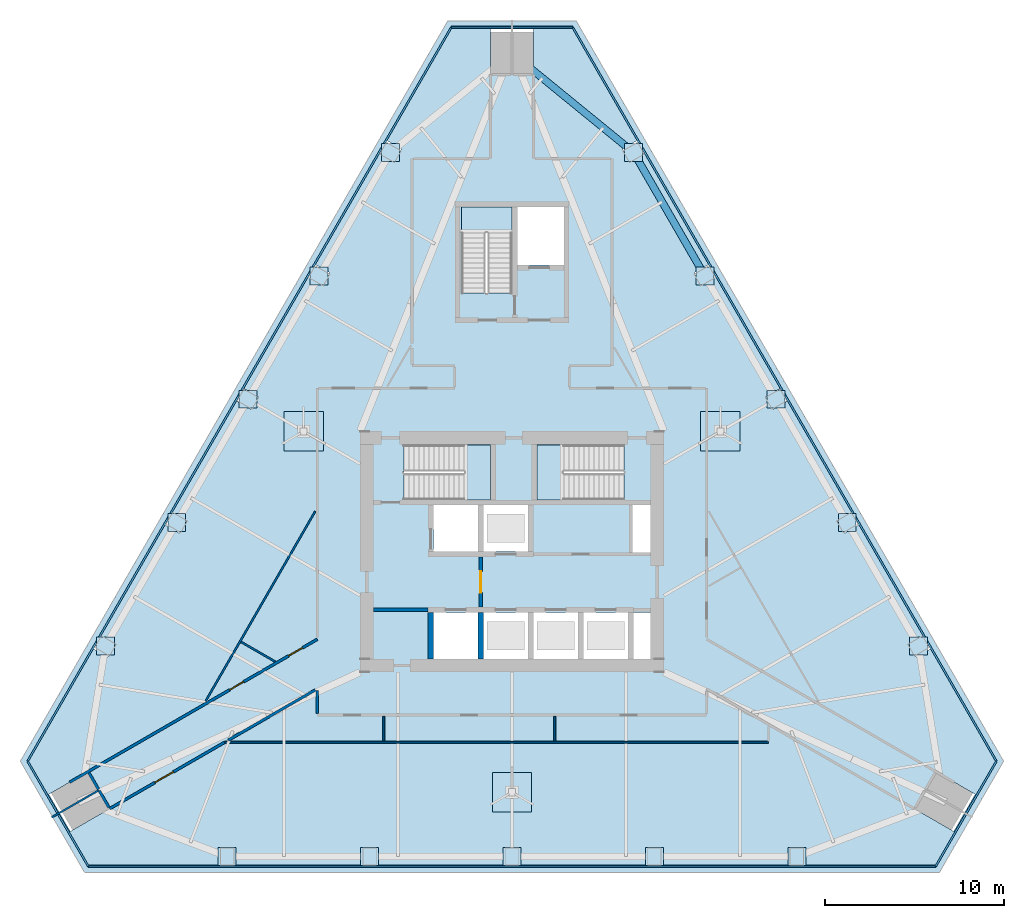
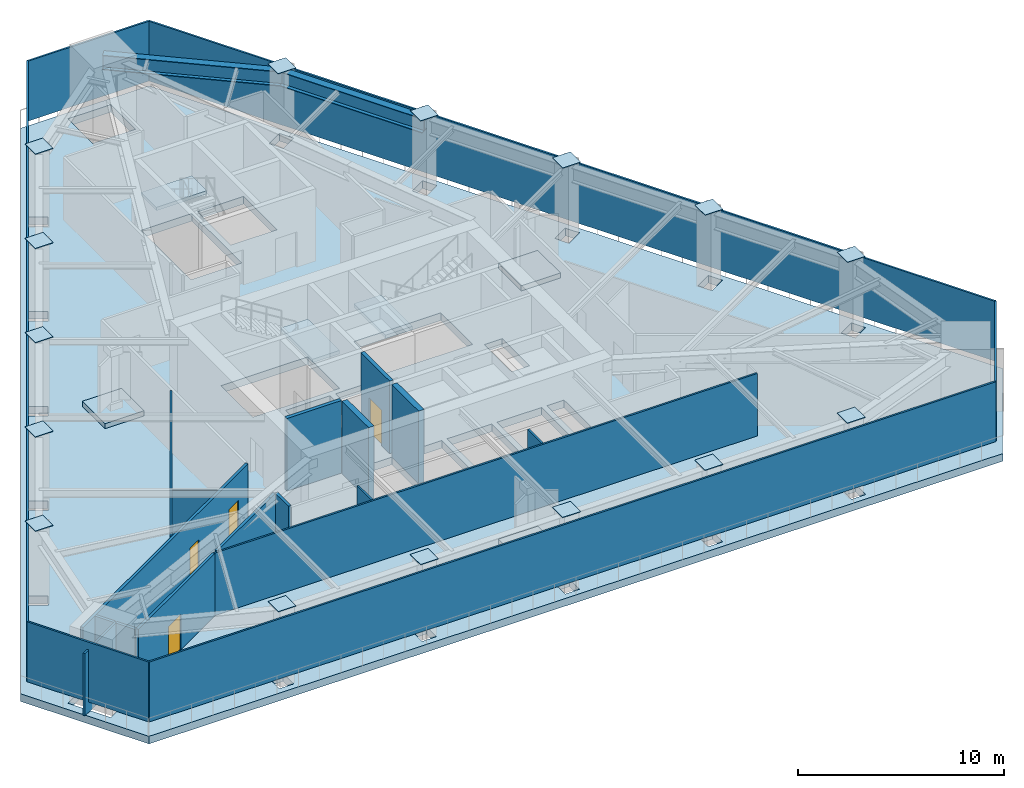
# One storey, part 2 of 9: 21 plates, 16 walls, 7 slabs, 4 doors, 2 members, 4 openings, 3 elements without a shape of their own.
"""IFC4 building model written with IfcOpenShell, lengths in metres."""

from ifc_helpers import new_model, si_unit, direction, frame, frame_2d, origin, origin_2d, place, context, subcontext, project, spatial, polyline, rectangle, i_section, outline, extrude, material, layer, layer_set, material_profile, profile_set, type_object, element, fill, aggregate, save


model = new_model("IFC4")

# Units and contexts
model_context = context("Model", 3, precision=1e-05, world=origin(), true_north=direction((0.0, 1.0)))
body_context = subcontext(model_context, "Body", "Model", "MODEL_VIEW")
ifc_project = project(units=[si_unit("LENGTHUNIT", "METRE"), si_unit("AREAUNIT", "SQUARE_METRE"), si_unit("VOLUMEUNIT", "CUBIC_METRE"), si_unit("PLANEANGLEUNIT", "RADIAN"), si_unit("MASSUNIT", "GRAM", prefix="KILO")], contexts=[model_context])

# Site, building, storey
site_placement = place(None, origin())
site = spatial("IfcSite", under=ifc_project, at=site_placement, CompositionType="ELEMENT")
building_placement = place(site_placement, origin())
building = spatial("IfcBuilding", under=site, at=building_placement, Name="Firuza Gate Tower and Library", CompositionType="ELEMENT")
storey_placement = place(building_placement, frame((0.0, 0.0, 252.10009765625)))
storey = spatial("IfcBuildingStorey", under=building, at=storey_placement, Name="L59", CompositionType="ELEMENT", Elevation=252.10009765625)

# Members
ifc_material_1 = material(Name="Steel S355", Category="steel")
ifc_material_profile = material_profile(ifc_material_1, i_section(OverallWidth=0.39990234375, OverallDepth=0.85498046875, WebThickness=0.018310546875, FlangeThickness=0.029296875, at=origin_2d()))
ifc_profile_set = profile_set([ifc_material_profile], Name="Steel S355")
member_type = type_object("IfcMemberType", Name="W840x299 Belt truss chord", PredefinedType="CHORD", material=ifc_profile_set)
member_1_placement = place(storey_placement, frame((85.795654296875, 90.441650390625, 3.872314453125), z_axis=(-0.500007765856, 0.866020920119, 0.0), x_axis=(-0.866020920119, -0.500007765856, 0.0)))
element("IfcMember", 1, at=member_1_placement, inside=storey, type_object=member_type, Name="Belt truss top chord L58 12", PredefinedType="CHORD", context=body_context, shape_type="SweptSolid", body=[
    extrude(i_section(OverallWidth=0.39990234375, OverallDepth=0.85498046875, WebThickness=0.018310546875, FlangeThickness=0.029296875, at=origin_2d()), origin(), (0.0, 0.0, 1.0), 7.974853515625),
])
member_2_placement = place(storey_placement, frame((81.80810546875, 97.34814453125, 3.872314453125), z_axis=(-0.774716746398, 0.632308439648, 0.0), x_axis=(-0.632308439648, -0.774716746398, 0.0)))
element("IfcMember", 2, at=member_2_placement, inside=storey, type_object=member_type, Name="Belt truss top chord L58 13", PredefinedType="CHORD", context=body_context, shape_type="SweptSolid", body=[
    extrude(i_section(OverallWidth=0.39990234375, OverallDepth=0.85498046875, WebThickness=0.018310546875, FlangeThickness=0.029296875, at=origin_2d()), origin(), (0.0, 0.0, 1.0), 8.787841796875),
])

# Plates
ifc_material_2 = material(Name="Steel S355", Category="steel")
ifc_layer_1 = layer(ifc_material_2, 0.030029296875)
ifc_layer_set_1 = layer_set([ifc_layer_1], Name="Column end plate 1000x1000x30 Steel S355")
plate_type_1 = type_object("IfcPlateType", Name="Column end plate 1000x1000x30 Steel S355", PredefinedType="SHEET", material=ifc_layer_set_1)
for number, where, z_axis, x_axis, name in (
    (3, (59.050048828125, 57.929931640625, 4.5), (0.0, 0.0, 1.0), (1.0, 0.0, 0.0), "End plate L59:S1"),
    (4, (67.02490234375, 57.929931640625, 4.5), (0.0, 0.0, 1.0), (1.0, 0.0, 0.0), "End plate L59:S2"),
    (5, (75.0, 57.929931640625, 4.5), (0.0, 0.0, 1.0), (1.0, 0.0, 0.0), "End plate L59:S3"),
    (6, (82.97509765625, 57.929931640625, 4.5), (0.0, 0.0, 1.0), (1.0, 0.0, 0.0), "End plate L59:S4"),
    (7, (90.949951171875, 57.929931640625, 4.5), (0.0, 0.0, 1.0), (1.0, 0.0, 0.0), "End plate L59:S5"),
    (8, (97.758056640625, 69.721923828125, 4.5), (0.0, 0.0, 1.0), (1.0, 0.0, 0.0), "End plate L59:E1"),
    (9, (93.7705078125, 76.62841796875, 4.5), (0.0, 0.0, 1.0), (1.0, 0.0, 0.0), "End plate L59:E2"),
    (10, (89.782958984375, 83.534912109375, 4.5), (0.0, 0.0, 1.0), (1.0, 0.0, 0.0), "End plate L59:E3"),
    (11, (85.795654296875, 90.441650390625, 4.5), (0.0, 0.0, 1.0), (1.0, 0.0, 0.0), "End plate L59:E4"),
    (12, (81.80810546875, 97.34814453125, 4.5), (0.0, 0.0, 1.0), (1.0, 0.0, 0.0), "End plate L59:E5"),
    (13, (68.19189453125, 97.34814453125, 4.5), (0.0, 0.0, 1.0), (1.0, 0.0, 0.0), "End plate L59:W1"),
    (14, (64.204345703125, 90.441650390625, 4.5), (0.0, 0.0, 1.0), (1.0, 0.0, 0.0), "End plate L59:W2"),
    (15, (60.217041015625, 83.534912109375, 4.5), (0.0, 0.0, 1.0), (1.0, 0.0, 0.0), "End plate L59:W3"),
    (16, (56.2294921875, 76.62841796875, 4.5), (0.0, 0.0, 1.0), (1.0, 0.0, 0.0), "End plate L59:W4"),
    (17, (52.241943359375, 69.721923828125, 4.5), (0.0, 0.0, 1.0), (1.0, 0.0, 0.0), "End plate L59:W5"),
):
    element("IfcPlate", number, at=place(storey_placement, frame(where, z_axis=z_axis, x_axis=x_axis)), inside=storey, type_object=plate_type_1, Name=name, PredefinedType="SHEET", context=body_context, shape_type="SweptSolid", body=[
        extrude(rectangle(XDim=1.0, YDim=1.0, at=origin_2d()), origin(), (0.0, 0.0, 1.0), 0.030029296875),
    ])

# Slab
ifc_material_3 = material(Name="Concrete C40/50", Category="concrete")
ifc_layer_2 = layer(ifc_material_3, 0.449951171875)
ifc_layer_set_2 = layer_set([ifc_layer_2], Name="Composite floor slab 450 C40/50")
slab_type_1 = type_object("IfcSlabType", Name="Composite floor slab 450 C40/50", PredefinedType="FLOOR", material=ifc_layer_set_2)
slab_1_placement = place(storey_placement, frame((0.0, 0.0, -0.4501953125)))
element("IfcSlab", 18, at=slab_1_placement, inside=storey, type_object=slab_type_1, Name="Floor slab L59", PredefinedType="FLOOR", context=body_context, shape_type="SweptSolid", body=[
    extrude(outline(polyline([(47.47509765625, 63.265380859375), (51.074951171875, 57.030029296875), (98.925048828125, 57.030029296875), (102.52490234375, 63.265380859375), (78.60009765625, 104.70458984375), (71.39990234375, 104.70458984375), (47.47509765625, 63.265380859375)]), holes=[polyline([(59.36669921875, 57.35791015625), (58.566650390625, 57.35791015625), (58.566650390625, 58.35791015625), (59.36669921875, 58.35791015625), (59.36669921875, 57.35791015625)]), polyline([(66.583251953125, 57.35791015625), (66.583251953125, 58.35791015625), (67.38330078125, 58.35791015625), (67.38330078125, 57.35791015625), (66.583251953125, 57.35791015625)]), polyline([(49.069580078125, 61.414794921875), (51.148193359375, 62.61474609375), (52.34814453125, 60.536376953125), (50.26953125, 59.336181640625), (49.069580078125, 61.414794921875)]), polyline([(51.90478515625, 70.2822265625), (52.770751953125, 69.7822265625), (52.370849609375, 69.08935546875), (51.504638671875, 69.58935546875), (51.90478515625, 70.2822265625)]), polyline([(73.10009765625, 69.0), (70.60009765625, 69.0), (70.60009765625, 71.60009765625), (73.10009765625, 71.60009765625), (73.10009765625, 69.0)]), polyline([(75.89990234375, 69.0), (73.39990234375, 69.0), (73.39990234375, 71.60009765625), (75.89990234375, 71.60009765625), (75.89990234375, 69.0)]), polyline([(73.10009765625, 75.0), (70.60009765625, 75.0), (70.60009765625, 77.60009765625), (73.10009765625, 77.60009765625), (73.10009765625, 75.0)]), polyline([(75.89990234375, 75.0), (73.39990234375, 75.0), (73.39990234375, 77.60009765625), (75.89990234375, 77.60009765625), (75.89990234375, 75.0)]), polyline([(55.9130859375, 77.224853515625), (56.779052734375, 76.724853515625), (56.379150390625, 76.031982421875), (55.51318359375, 76.531982421875), (55.9130859375, 77.224853515625)]), polyline([(68.9404296875, 77.89990234375), (68.9404296875, 80.97998046875), (73.81005859375, 80.97998046875), (73.81005859375, 77.89990234375), (68.9404296875, 77.89990234375)]), polyline([(59.92138671875, 84.16748046875), (60.787353515625, 83.66748046875), (60.387451171875, 82.974609375), (59.521484375, 83.474609375), (59.92138671875, 84.16748046875)]), polyline([(63.9296875, 91.110107421875), (64.795654296875, 90.610107421875), (64.395751953125, 89.917236328125), (63.52978515625, 90.417236328125), (63.9296875, 91.110107421875)]), polyline([(72.159912109375, 89.470458984375), (72.159912109375, 94.300048828125), (75.0, 94.300048828125), (75.0, 89.470458984375), (72.159912109375, 89.470458984375)]), polyline([(67.93798828125, 98.052734375), (68.80419921875, 97.552734375), (68.404052734375, 96.85986328125), (67.5380859375, 97.35986328125), (67.93798828125, 98.052734375)]), polyline([(76.199951171875, 104.2490234375), (76.199951171875, 101.84912109375), (73.800048828125, 101.84912109375), (73.800048828125, 104.2490234375), (76.199951171875, 104.2490234375)]), polyline([(75.39990234375, 57.35791015625), (74.60009765625, 57.35791015625), (74.60009765625, 58.35791015625), (75.39990234375, 58.35791015625), (75.39990234375, 57.35791015625)]), polyline([(82.61669921875, 57.35791015625), (82.61669921875, 58.35791015625), (83.416748046875, 58.35791015625), (83.416748046875, 57.35791015625), (82.61669921875, 57.35791015625)]), polyline([(90.63330078125, 57.35791015625), (90.63330078125, 58.35791015625), (91.433349609375, 58.35791015625), (91.433349609375, 57.35791015625), (90.63330078125, 57.35791015625)]), polyline([(99.73046875, 59.336181640625), (97.65185546875, 60.536376953125), (98.851806640625, 62.61474609375), (100.930419921875, 61.414794921875), (99.73046875, 59.336181640625)]), polyline([(98.495361328125, 69.58935546875), (97.629150390625, 69.08935546875), (97.229248046875, 69.7822265625), (98.09521484375, 70.2822265625), (98.495361328125, 69.58935546875)]), polyline([(78.699951171875, 69.0), (76.199951171875, 69.0), (76.199951171875, 71.60009765625), (78.699951171875, 71.60009765625), (78.699951171875, 69.0)]), polyline([(81.5, 69.0), (79.0, 69.0), (79.0, 71.60009765625), (81.5, 71.60009765625), (81.5, 69.0)]), polyline([(82.75, 69.0), (81.800048828125, 69.0), (81.800048828125, 71.60009765625), (82.75, 71.60009765625), (82.75, 69.0)]), polyline([(82.75, 74.949951171875), (81.75, 74.949951171875), (81.75, 77.60009765625), (82.75, 77.60009765625), (82.75, 74.949951171875)]), polyline([(94.48681640625, 76.531982421875), (93.620849609375, 76.031982421875), (93.220947265625, 76.724853515625), (94.0869140625, 77.224853515625), (94.48681640625, 76.531982421875)]), polyline([(81.259521484375, 80.97998046875), (81.259521484375, 77.89990234375), (76.389892578125, 77.89990234375), (76.389892578125, 80.97998046875), (81.259521484375, 80.97998046875)]), polyline([(90.478515625, 83.474609375), (89.612548828125, 82.974609375), (89.212646484375, 83.66748046875), (90.07861328125, 84.16748046875), (90.478515625, 83.474609375)]), polyline([(86.47021484375, 90.417236328125), (85.604248046875, 89.917236328125), (85.204345703125, 90.610107421875), (86.0703125, 91.110107421875), (86.47021484375, 90.417236328125)]), polyline([(77.89990234375, 91.050048828125), (75.300048828125, 91.050048828125), (75.300048828125, 94.300048828125), (77.89990234375, 94.300048828125), (77.89990234375, 91.050048828125)]), polyline([(82.4619140625, 97.35986328125), (81.595947265625, 96.85986328125), (81.19580078125, 97.552734375), (82.06201171875, 98.052734375), (82.4619140625, 97.35986328125)])]), origin(), (0.0, 0.0, 1.0), 0.4501953125),
])

# Plates
ifc_material_4 = material(Name="Aluminium 6063-T6", Category="aluminium")
ifc_layer_3 = layer(ifc_material_4, 0.10009765625)
ifc_layer_set_3 = layer_set([ifc_layer_3], Name="Louvred turbine screen panel")
plate_type_2 = type_object("IfcPlateType", Name="Louvred turbine screen panel", PredefinedType="SHEET", material=ifc_layer_set_3)
plate_1_placement = place(storey_placement, frame((51.277099609375, 57.330078125, 0.599853515625), z_axis=(0.0, -1.0, 0.0), x_axis=(1.0, 0.0, 0.0)))
element("IfcPlate", 19, at=plate_1_placement, inside=storey, type_object=plate_type_2, Name="Louvred turbine screen 1", PredefinedType="SHEET", context=body_context, shape_type="SweptSolid", body=[
    extrude(outline(polyline([(0.0, 0.0), (47.44580078125, 0.0), (47.44580078125, 3.550048828125), (0.0, 3.550048828125), (0.0, 0.0)])), origin(), (0.0, 0.0, -1.0), 0.10009765625),
])
plate_2_placement = place(storey_placement, frame((98.76611328125, 57.35498046875, 0.599853515625), z_axis=(0.866019268191, -0.500010627009, 0.0), x_axis=(0.500010627009, 0.866019268191, 0.0)))
element("IfcPlate", 20, at=plate_2_placement, inside=storey, type_object=plate_type_2, Name="Louvred turbine screen 2", PredefinedType="SHEET", context=body_context, shape_type="SweptSolid", body=[
    extrude(outline(polyline([(0.0, 0.0), (6.795754000420749, 0.0), (6.795754000420749, 3.550048828125), (0.0, 3.550048828125), (0.0, 0.0)])), origin(), (0.0, 0.0, -1.0), 0.10009765625),
])
plate_3_placement = place(storey_placement, frame((102.1640625, 63.290283203125, 0.599853515625), z_axis=(0.866025860564, 0.499999208834, 0.0), x_axis=(-0.499999208834, 0.866025860564, 0.0)))
element("IfcPlate", 21, at=plate_3_placement, inside=storey, type_object=plate_type_2, Name="Louvred turbine screen 3", PredefinedType="SHEET", context=body_context, shape_type="SweptSolid", body=[
    extrude(outline(polyline([(0.0, 0.0), (47.44587585639885, 0.0), (47.44587585639885, 3.550048828125), (0.0, 3.550048828125), (0.0, 0.0)])), origin(), (0.0, 0.0, -1.0), 0.10009765625),
])
plate_4_placement = place(storey_placement, frame((78.39794921875, 104.40478515625, 0.599853515625), z_axis=(0.0, 1.0, 0.0), x_axis=(-1.0, 0.0, 0.0)))
element("IfcPlate", 22, at=plate_4_placement, inside=storey, type_object=plate_type_2, Name="Louvred turbine screen 4", PredefinedType="SHEET", context=body_context, shape_type="SweptSolid", body=[
    extrude(outline(polyline([(0.0, 0.0), (6.7958984375, 0.0), (6.7958984375, 3.550048828125), (0.0, 3.550048828125), (0.0, 0.0)])), origin(), (0.0, 0.0, -1.0), 0.10009765625),
])
plate_5_placement = place(storey_placement, frame((71.558837890625, 104.379638671875, 0.599853515625), z_axis=(-0.866025860564, 0.499999208834, 0.0), x_axis=(-0.499999208834, -0.866025860564, 0.0)))
element("IfcPlate", 23, at=plate_5_placement, inside=storey, type_object=plate_type_2, Name="Louvred turbine screen 5", PredefinedType="SHEET", context=body_context, shape_type="SweptSolid", body=[
    extrude(outline(polyline([(0.0, 0.0), (47.44587585639885, 0.0), (47.44587585639885, 3.550048828125), (0.0, 3.550048828125), (0.0, 0.0)])), origin(), (0.0, 0.0, -1.0), 0.10009765625),
])
plate_6_placement = place(storey_placement, frame((47.8359375, 63.240234375, 0.599853515625), z_axis=(-0.866019268191, -0.500010627009, 0.0), x_axis=(0.500010627009, -0.866019268191, 0.0)))
element("IfcPlate", 24, at=plate_6_placement, inside=storey, type_object=plate_type_2, Name="Louvred turbine screen 6", PredefinedType="SHEET", context=body_context, shape_type="SweptSolid", body=[
    extrude(outline(polyline([(0.0, 0.0), (6.795754000420749, 0.0), (6.795754000420749, 3.550048828125), (0.0, 3.550048828125), (0.0, 0.0)])), origin(), (0.0, 0.0, -1.0), 0.10009765625),
])

# Stair, slab
ifc_material_5 = material(Name="Concrete C35/45", Category="concrete")
stair_type_1 = type_object("IfcStairType", Name="Exit stair ST1", PredefinedType="HALF_TURN_STAIR", material=ifc_material_5)
placement_1 = place(storey_placement, origin())
stair_1 = element("IfcStair", 25, at=placement_1, inside=storey, type_object=stair_type_1, Name="L59 Stair ST1", PredefinedType="HALF_TURN_STAIR")
ifc_material_6 = material(Name="Concrete C35/45", Category="concrete")
ifc_layer_4 = layer(ifc_material_6, 0.199951171875)
ifc_layer_set_4 = layer_set([ifc_layer_4], Name="Stair landing 200")
slab_type_2 = type_object("IfcSlabType", Name="Stair landing 200", PredefinedType="LANDING", material=ifc_layer_set_4)
placement_2 = place(storey_placement, frame((0.0, 0.0, 2.0498046875)))
slab_2 = element("IfcSlab", 26, at=placement_2, type_object=slab_type_2, Name="ST1 landing 1", PredefinedType="LANDING", context=body_context, shape_type="SweptSolid", body=[
    extrude(outline(polyline([(72.300048828125, 77.89990234375), (73.81005859375, 77.89990234375), (73.81005859375, 80.97998046875), (72.300048828125, 80.97998046875), (72.300048828125, 77.89990234375)])), origin(), (0.0, 0.0, 1.0), 0.2001953125),
])
aggregate(stair_1, [slab_2])

stair_2 = element("IfcStair", 27, at=placement_1, inside=storey, type_object=stair_type_1, Name="L59 Stair ST2", PredefinedType="HALF_TURN_STAIR")
slab_3 = element("IfcSlab", 28, at=placement_2, type_object=slab_type_2, Name="ST2 landing 1", PredefinedType="LANDING", context=body_context, shape_type="SweptSolid", body=[
    extrude(outline(polyline([(77.89990234375, 80.97998046875), (76.389892578125, 80.97998046875), (76.389892578125, 77.89990234375), (77.89990234375, 77.89990234375), (77.89990234375, 80.97998046875)])), origin(), (0.0, 0.0, 1.0), 0.2001953125),
])
aggregate(stair_2, [slab_3])

ifc_material_7 = material(Name="Concrete C35/45", Category="concrete")
stair_type_2 = type_object("IfcStairType", Name="Exit stair ST10", PredefinedType="HALF_TURN_STAIR", material=ifc_material_7)
stair_3 = element("IfcStair", 29, at=placement_1, inside=storey, type_object=stair_type_2, Name="L59 Stair ST3", PredefinedType="HALF_TURN_STAIR")
slab_4 = element("IfcSlab", 30, at=placement_2, type_object=slab_type_2, Name="ST3 landing 1", PredefinedType="LANDING", context=body_context, shape_type="SweptSolid", body=[
    extrude(outline(polyline([(75.0, 92.830078125), (75.0, 94.300048828125), (72.159912109375, 94.300048828125), (72.159912109375, 92.830078125), (75.0, 92.830078125)])), origin(), (0.0, 0.0, 1.0), 0.2001953125),
])
aggregate(stair_3, [slab_4])

# Slabs
ifc_material_8 = material(Name="Concrete C40/50", Category="concrete")
ifc_layer_5 = layer(ifc_material_8, 0.300048828125)
ifc_layer_set_5 = layer_set([ifc_layer_5], Name="Turbine plinth 2200")
slab_type_3 = type_object("IfcSlabType", Name="Turbine plinth 2200", PredefinedType="BASESLAB", material=ifc_layer_set_5)
element("IfcSlab", 31, at=placement_1, inside=storey, type_object=slab_type_3, Name="Turbine plinth 1", PredefinedType="BASESLAB", context=body_context, shape_type="SweptSolid", body=[
    extrude(outline(polyline([(73.89990234375, 60.429931640625), (76.10009765625, 60.429931640625), (76.10009765625, 62.6298828125), (73.89990234375, 62.6298828125), (73.89990234375, 60.429931640625)])), origin(), (0.0, 0.0, 1.0), 0.2998046875),
])
element("IfcSlab", 32, at=placement_1, inside=storey, type_object=slab_type_3, Name="Turbine plinth 2", PredefinedType="BASESLAB", context=body_context, shape_type="SweptSolid", body=[
    extrude(outline(polyline([(85.5654296875, 80.635009765625), (87.765380859375, 80.635009765625), (87.765380859375, 82.8349609375), (85.5654296875, 82.8349609375), (85.5654296875, 80.635009765625)])), origin(), (0.0, 0.0, 1.0), 0.2998046875),
])
element("IfcSlab", 33, at=placement_1, inside=storey, type_object=slab_type_3, Name="Turbine plinth 3", PredefinedType="BASESLAB", context=body_context, shape_type="SweptSolid", body=[
    extrude(outline(polyline([(62.234619140625, 80.635009765625), (64.4345703125, 80.635009765625), (64.4345703125, 82.8349609375), (62.234619140625, 82.8349609375), (62.234619140625, 80.635009765625)])), origin(), (0.0, 0.0, 1.0), 0.2998046875),
])

# Wall
ifc_material_9 = material(Name="Plasterboard on steel studs", Category="steel")
ifc_layer_6 = layer(ifc_material_9, 0.199951171875)
ifc_layer_set_6 = layer_set([ifc_layer_6], Name="Core partition 200 EI 120")
wall_type_1 = type_object("IfcWallType", Name="Core partition 200 EI 120", PredefinedType="PARTITIONING", material=ifc_layer_set_6)
wall_1_placement = place(storey_placement, frame((67.25, 71.75, 0.0), z_axis=(0.0, 0.0, 1.0), x_axis=(1.0, 0.0, 0.0)))
element("IfcWall", 34, at=wall_1_placement, inside=storey, type_object=wall_type_1, Name="Core partition L59 1", PredefinedType="PARTITIONING", context=body_context, shape_type="SweptSolid", body=[
    extrude(rectangle(XDim=3.050048828125, YDim=0.199951171875, at=frame_2d((1.52490234375, 0.0))), origin(), (0.0, 0.0, 1.0), 4.2998046875),
])

# Wall, opening, door
ifc_material_10 = material(Name="Plasterboard on steel studs", Category="steel")
ifc_layer_7 = layer(ifc_material_10, 0.199951171875)
ifc_layer_set_7 = layer_set([ifc_layer_7], Name="Core partition 200 EI 60")
wall_type_2 = type_object("IfcWallType", Name="Core partition 200 EI 60", PredefinedType="PARTITIONING", material=ifc_layer_set_7)
wall_2_placement = place(storey_placement, frame((73.25, 71.89990234375, 0.0), z_axis=(0.0, 0.0, 1.0), x_axis=(0.0, 1.0, 0.0)))
wall_2 = element("IfcWall", 35, at=wall_2_placement, inside=storey, type_object=wall_type_2, Name="Core partition L59 4", PredefinedType="PARTITIONING", context=body_context, shape_type="SweptSolid", body=[
    extrude(rectangle(XDim=2.800048828125, YDim=0.199951171875, at=frame_2d((1.39990234375, 0.0))), origin(), (0.0, 0.0, 1.0), 4.2998046875),
])
opening_1_placement = place(wall_2_placement, frame((0.800048828125, 0.0, 0.0)))
opening_1 = element("IfcOpeningElement", 36, at=opening_1_placement, cuts=wall_2, Name="Opening L59-K14", PredefinedType="OPENING", context=body_context, shape_type="SweptSolid", body=[
    extrude(rectangle(XDim=1.199951171875, YDim=2.10009765625, at=frame_2d((0.60009765625, 1.050048828125))), frame((0.0, 0.10986328125, 0.0), z_axis=(0.0, -1.0, 0.0), x_axis=(1.0, 0.0, 0.0)), (0.0, 0.0, 1.0), 0.219970703125),
])
ifc_material_11 = material(Name="Steel", Category="steel")
door_type_1 = type_object("IfcDoorType", Name="Fire door 1200x2100 FD90S", OperationType="NOTDEFINED", PredefinedType="DOOR", material=ifc_material_11)
door_1_placement = place(opening_1_placement, origin())
door_1 = element("IfcDoor", 37, at=door_1_placement, inside=storey, type_object=door_type_1, Name="Door L59-K14", OperationType="SINGLE_SWING_LEFT", OverallHeight=2.10009765625, OverallWidth=1.199951171875, PredefinedType="DOOR", context=body_context, shape_type="SweptSolid", body=[
    extrude(rectangle(XDim=1.199951171875, YDim=2.10009765625, at=frame_2d((0.60009765625, 1.050048828125))), frame((0.0, 0.02490234375, 0.0), z_axis=(0.0, -1.0, 0.0), x_axis=(1.0, 0.0, 0.0)), (0.0, 0.0, 1.0), 0.050048828125),
])
fill(opening_1, door_1)

# Walls
ifc_material_12 = material(Name="Concrete C60/75", Category="concrete")
ifc_layer_8 = layer(ifc_material_12, 0.300048828125)
ifc_layer_set_8 = layer_set([ifc_layer_8], Name="Core wall 300 C60/75")
wall_type_3 = type_object("IfcWallType", Name="Core wall 300 C60/75", PredefinedType="SHEAR", material=ifc_layer_set_8)
for number, where, z_axis, x_axis, name in (
    (38, (70.449951171875, 69.0, 0.0), (0.0, 0.0, 1.0), (0.0, 1.0, 0.0), "Core wall L59 7"),
    (39, (73.25, 69.0, 0.0), (0.0, 0.0, 1.0), (0.0, 1.0, 0.0), "Core wall L59 9"),
):
    element("IfcWall", number, at=place(storey_placement, frame(where, z_axis=z_axis, x_axis=x_axis)), inside=storey, type_object=wall_type_3, Name=name, PredefinedType="SHEAR", context=body_context, shape_type="SweptSolid", body=[
        extrude(rectangle(XDim=2.60009765625, YDim=0.300048828125, at=frame_2d((1.300048828125, 0.0))), origin(), (0.0, 0.0, 1.0), 4.2998046875),
    ])

# Wall, opening, door
ifc_material_13 = material(Name="Gypsum board partition")
ifc_layer_9 = layer(ifc_material_13, 0.14990234375)
ifc_layer_set_9 = layer_set([ifc_layer_9], Name="Corridor wall 150 double board on steel studs")
wall_type_4 = type_object("IfcWallType", Name="Corridor wall 150 double board on steel studs", PredefinedType="PARTITIONING", material=ifc_layer_set_9)
wall_3_placement = place(storey_placement, frame((58.898681640625, 64.318359375, 0.0), z_axis=(0.0, 0.0, 1.0), x_axis=(-0.866035440363, -0.499982615733, 0.0)))
wall_3 = element("IfcWall", 40, at=wall_3_placement, inside=storey, type_object=wall_type_4, Name="f:L59:w010", PredefinedType="PARTITIONING", context=body_context, shape_type="SweptSolid", body=[
    extrude(rectangle(XDim=7.419189453125, YDim=0.14990234375, at=frame_2d((3.70947265625, 0.0))), origin(), (0.0, 0.0, 1.0), 3.699951171875),
])
opening_2_placement = place(wall_3_placement, frame((3.300048828125, 0.0, 0.0)))
opening_2 = element("IfcOpeningElement", 41, at=opening_2_placement, cuts=wall_3, Name="Opening L59-08", PredefinedType="OPENING", context=body_context, shape_type="SweptSolid", body=[
    extrude(rectangle(XDim=1.199951171875, YDim=2.10009765625, at=frame_2d((0.60009765625, 1.050048828125))), frame((0.0, 0.0849609375, 0.0), z_axis=(0.0, -1.0, 0.0), x_axis=(1.0, 0.0, 0.0)), (0.0, 0.0, 1.0), 0.169921875),
])
ifc_material_14 = material(Name="Steel door and timber leaf", Category="steel")
door_type_2 = type_object("IfcDoorType", Name="Fire door 1200 x 2100 steel frame, double leaf", OperationType="NOTDEFINED", PredefinedType="DOOR", material=ifc_material_14)
door_2_placement = place(opening_2_placement, origin())
door_2 = element("IfcDoor", 42, at=door_2_placement, inside=storey, type_object=door_type_2, Name="f:L59:d008", OperationType="DOUBLE_DOOR_SINGLE_SWING", OverallHeight=2.10009765625, OverallWidth=1.199951171875, PredefinedType="DOOR", context=body_context, shape_type="SweptSolid", body=[
    extrude(rectangle(XDim=1.199951171875, YDim=2.10009765625, at=frame_2d((0.60009765625, 1.050048828125))), frame((0.0, 0.02490234375, 0.0), z_axis=(0.0, -1.0, 0.0), x_axis=(1.0, 0.0, 0.0)), (0.0, 0.0, 1.0), 0.050048828125),
])
fill(opening_2, door_2)

# Wall, openings, doors
wall_4_placement = place(storey_placement, frame((50.23388671875, 62.0869140625, 0.0), z_axis=(0.0, 0.0, 1.0), x_axis=(0.866022819081, 0.500004476811, 0.0)))
wall_4 = element("IfcWall", 43, at=wall_4_placement, inside=storey, type_object=wall_type_4, Name="f:L59:w012", PredefinedType="PARTITIONING", context=body_context, shape_type="SweptSolid", body=[
    extrude(rectangle(XDim=16.010986328125, YDim=0.14990234375, at=frame_2d((8.00537109375, 0.0))), origin(), (0.0, 0.0, 1.0), 3.699951171875),
])
opening_3_placement = place(wall_4_placement, frame((10.35009765625, 0.0, 0.0)))
opening_3 = element("IfcOpeningElement", 44, at=opening_3_placement, cuts=wall_4, Name="Opening L59-09", PredefinedType="OPENING", context=body_context, shape_type="SweptSolid", body=[
    extrude(rectangle(XDim=0.89990234375, YDim=2.10009765625, at=frame_2d((0.449951171875, 1.050048828125))), frame((0.0, 0.0849609375, 0.0), z_axis=(0.0, -1.0, 0.0), x_axis=(1.0, 0.0, 0.0)), (0.0, 0.0, 1.0), 0.169921875),
])
opening_4_placement = place(wall_4_placement, frame((14.1533203125, 0.0, 0.0)))
opening_4 = element("IfcOpeningElement", 45, at=opening_4_placement, cuts=wall_4, Name="Opening L59-10", PredefinedType="OPENING", context=body_context, shape_type="SweptSolid", body=[
    extrude(rectangle(XDim=0.89990234375, YDim=2.10009765625, at=frame_2d((0.449951171875, 1.050048828125))), frame((0.0, 0.0849609375, 0.0), z_axis=(0.0, -1.0, 0.0), x_axis=(1.0, 0.0, 0.0)), (0.0, 0.0, 1.0), 0.169921875),
])
ifc_material_15 = material(Name="Steel door and timber leaf", Category="steel")
door_type_3 = type_object("IfcDoorType", Name="Fire door 900 x 2100 steel frame, timber leaf", OperationType="NOTDEFINED", PredefinedType="DOOR", material=ifc_material_15)
door_3_placement = place(opening_3_placement, origin())
door_3 = element("IfcDoor", 46, at=door_3_placement, inside=storey, type_object=door_type_3, Name="f:L59:d009", OperationType="SINGLE_SWING_LEFT", OverallHeight=2.10009765625, OverallWidth=0.89990234375, PredefinedType="DOOR", context=body_context, shape_type="SweptSolid", body=[
    extrude(rectangle(XDim=0.89990234375, YDim=2.10009765625, at=frame_2d((0.449951171875, 1.050048828125))), frame((0.0, 0.02490234375, 0.0), z_axis=(0.0, -1.0, 0.0), x_axis=(1.0, 0.0, 0.0)), (0.0, 0.0, 1.0), 0.050048828125),
])
fill(opening_3, door_3)
door_4_placement = place(opening_4_placement, origin())
door_4 = element("IfcDoor", 47, at=door_4_placement, inside=storey, type_object=door_type_3, Name="f:L59:d010", OperationType="SINGLE_SWING_RIGHT", OverallHeight=2.10009765625, OverallWidth=0.89990234375, PredefinedType="DOOR", context=body_context, shape_type="SweptSolid", body=[
    extrude(rectangle(XDim=0.89990234375, YDim=2.10009765625, at=frame_2d((0.449951171875, 1.050048828125))), frame((0.0, 0.02490234375, 0.0), z_axis=(0.0, -1.0, 0.0), x_axis=(1.0, 0.0, 0.0)), (0.0, 0.0, 1.0), 0.050048828125),
])
fill(opening_4, door_4)

# Walls
wall_5_placement = place(storey_placement, frame((64.10009765625, 65.925048828125, 0.0), z_axis=(0.0, 0.0, 1.0), x_axis=(0.0, 1.0, 0.0)))
element("IfcWall", 48, at=wall_5_placement, inside=storey, type_object=wall_type_4, Name="f:L59:w029", PredefinedType="PARTITIONING", context=body_context, shape_type="SweptSolid", body=[
    extrude(rectangle(XDim=1.3095703125, YDim=0.14990234375, at=frame_2d((0.65478515625, 0.0))), origin(), (0.0, 0.0, 1.0), 3.699951171875),
])
wall_6_placement = place(storey_placement, frame((52.43505859375, 60.673583984375, 0.0), z_axis=(0.0, 0.0, 1.0), x_axis=(-0.500023985599, 0.866011555249, 0.0)))
element("IfcWall", 49, at=wall_6_placement, inside=storey, type_object=wall_type_4, Name="f:L59:w033", PredefinedType="PARTITIONING", context=body_context, shape_type="SweptSolid", body=[
    extrude(rectangle(XDim=1.07470703125, YDim=0.14990234375, at=frame_2d((0.537353515625, 0.0))), origin(), (0.0, 0.0, 1.0), 3.699951171875),
])
wall_7_placement = place(storey_placement, frame((59.117919921875, 64.445068359375, 0.0), z_axis=(0.0, 0.0, 1.0), x_axis=(0.866030125237, 0.499991822116, 0.0)))
element("IfcWall", 50, at=wall_7_placement, inside=storey, type_object=wall_type_4, Name="f:L59:w038", PredefinedType="PARTITIONING", context=body_context, shape_type="SweptSolid", body=[
    extrude(rectangle(XDim=5.62255859375, YDim=0.14990234375, at=frame_2d((2.811279296875, 0.0))), origin(), (0.0, 0.0, 1.0), 3.699951171875),
])
wall_8_placement = place(storey_placement, frame((51.847900390625, 61.69091796875, 0.0), z_axis=(0.0, 0.0, 1.0), x_axis=(-0.500095966228, 0.865969990567, 0.0)))
element("IfcWall", 51, at=wall_8_placement, inside=storey, type_object=wall_type_4, Name="f:L59:w040", PredefinedType="PARTITIONING", context=body_context, shape_type="SweptSolid", body=[
    extrude(rectangle(XDim=1.074951171875, YDim=0.14990234375, at=frame_2d((0.53759765625, 0.0))), origin(), (0.0, 0.0, 1.0), 3.699951171875),
])
ifc_material_16 = material(Name="Gypsum board partition")
ifc_layer_10 = layer(ifc_material_16, 0.10009765625)
ifc_layer_set_10 = layer_set([ifc_layer_10], Name="Partition 100 gypsum board on steel studs")
wall_type_5 = type_object("IfcWallType", Name="Partition 100 gypsum board on steel studs", PredefinedType="PARTITIONING", material=ifc_layer_set_10)
wall_9_placement = place(storey_placement, frame((58.9208984375, 64.330078125, 0.0), z_axis=(0.0, 0.0, 1.0), x_axis=(1.0, 0.0, 0.0)))
element("IfcWall", 52, at=wall_9_placement, inside=storey, type_object=wall_type_5, Name="f:L59:w000", PredefinedType="PARTITIONING", context=body_context, shape_type="SweptSolid", body=[
    extrude(rectangle(XDim=30.43359375, YDim=0.10009765625, at=frame_2d((15.216796875, 0.0))), origin(), (0.0, 0.0, 1.0), 3.699951171875),
])
wall_10_placement = place(storey_placement, frame((49.222900390625, 60.11767578125, 0.0), z_axis=(0.0, 0.0, 1.0), x_axis=(0.866030142557, 0.499991792115, 0.0)))
element("IfcWall", 53, at=wall_10_placement, inside=storey, type_object=wall_type_5, Name="f:L59:w011", PredefinedType="PARTITIONING", context=body_context, shape_type="SweptSolid", body=[
    extrude(rectangle(XDim=3.06005859375, YDim=0.10009765625, at=frame_2d((1.530029296875, 0.0))), origin(), (0.0, 0.0, 1.0), 3.699951171875),
])
wall_11_placement = place(storey_placement, frame((57.839111328125, 66.6162109375, 0.0), z_axis=(0.0, 0.0, 1.0), x_axis=(0.500008659119, 0.866020404382, 0.0)))
element("IfcWall", 54, at=wall_11_placement, inside=storey, type_object=wall_type_5, Name="f:L59:w014", PredefinedType="PARTITIONING", context=body_context, shape_type="SweptSolid", body=[
    extrude(rectangle(XDim=12.281982421875, YDim=0.10009765625, at=frame_2d((6.14111328125, 0.0))), origin(), (0.0, 0.0, 1.0), 3.699951171875),
])
for number, where, z_axis, x_axis, name in (
    (55, (77.39208984375, 64.389892578125, 0.0), (0.0, 0.0, 1.0), (0.0, 1.0, 0.0), "f:L59:w021"),
    (56, (67.822998046875, 64.389892578125, 0.0), (0.0, 0.0, 1.0), (0.0, 1.0, 0.0), "f:L59:w028"),
):
    element("IfcWall", number, at=place(storey_placement, frame(where, z_axis=z_axis, x_axis=x_axis)), inside=storey, type_object=wall_type_5, Name=name, PredefinedType="PARTITIONING", context=body_context, shape_type="SweptSolid", body=[
        extrude(rectangle(XDim=1.385009765625, YDim=0.10009765625, at=frame_2d((0.6923828125, 0.0))), origin(), (0.0, 0.0, 1.0), 3.699951171875),
    ])
wall_12_placement = place(storey_placement, frame((61.736328125, 68.84423828125, 0.0), z_axis=(0.0, 0.0, 1.0), x_axis=(-0.866023045711, 0.500004084281, 0.0)))
element("IfcWall", 57, at=wall_12_placement, inside=storey, type_object=wall_type_5, Name="f:L59:w037", PredefinedType="PARTITIONING", context=body_context, shape_type="SweptSolid", body=[
    extrude(rectangle(XDim=2.201171875, YDim=0.10009765625, at=frame_2d((1.1005859375, 0.0))), origin(), (0.0, 0.0, 1.0), 3.699951171875),
])

save(model, "model.ifc")
